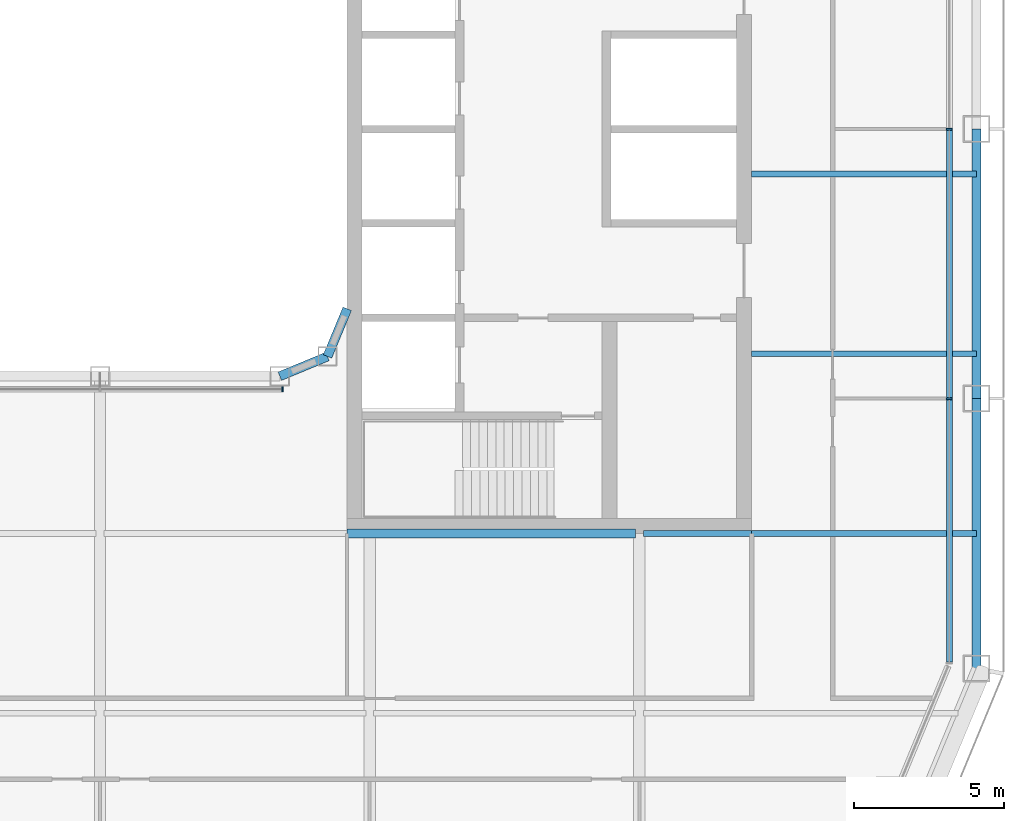
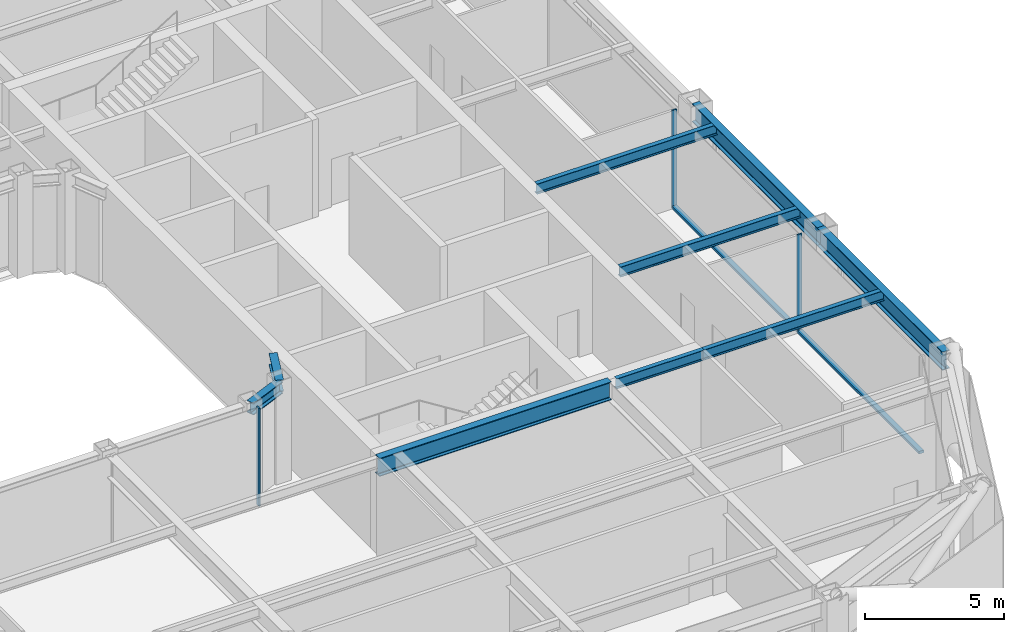
# One storey, part 5 of 21: 9 beams, 5 members, 2 elements without a shape of their own.
"""IFC4 building model written with IfcOpenShell, lengths in metres."""

from ifc_helpers import new_model, si_unit, direction, frame, origin, origin_2d, place, context, subcontext, project, spatial, rectangle, i_section, extrude, material, layer, layer_set, material_profile, profile_set, type_object, element, aggregate, save


model = new_model("IFC4")

# Units and contexts
model_context = context("Model", 3, precision=1e-05, world=origin(), true_north=direction((0.0, 1.0)))
body_context = subcontext(model_context, "Body", "Model", "MODEL_VIEW")
ifc_project = project(units=[si_unit("LENGTHUNIT", "METRE"), si_unit("AREAUNIT", "SQUARE_METRE"), si_unit("VOLUMEUNIT", "CUBIC_METRE"), si_unit("PLANEANGLEUNIT", "RADIAN"), si_unit("MASSUNIT", "GRAM", prefix="KILO")], contexts=[model_context])

# Site, building, storey
site_placement = place(None, origin())
site = spatial("IfcSite", under=ifc_project, at=site_placement, CompositionType="ELEMENT")
building_placement = place(site_placement, origin())
building = spatial("IfcBuilding", under=site, at=building_placement, Name="Siwar Civic Tower", CompositionType="ELEMENT")
storey_placement = place(building_placement, frame((0.0, 0.0, 176.699951171875)))
storey = spatial("IfcBuildingStorey", under=building, at=storey_placement, Name="L38", CompositionType="ELEMENT", Elevation=176.699951171875)

# Curtain wall, members
ifc_material_1 = material(Name="Aluminium and glass", Category="aluminium")
ifc_layer_1 = layer(ifc_material_1, 0.199951171875)
ifc_layer_set_1 = layer_set([ifc_layer_1], Name="Aluminium and glass")
curtain_wall_type_1 = type_object("IfcCurtainWallType", Name="ENV-CW-B", PredefinedType="NOTDEFINED", material=ifc_layer_set_1)
curtain_wall_1_placement = place(storey_placement, origin())
curtain_wall_1 = element("IfcCurtainWall", 1, at=curtain_wall_1_placement, inside=storey, type_object=curtain_wall_type_1, Name="Curtain wall B E", PredefinedType="NOTDEFINED")
ifc_material_2 = material(Name="Aluminium 6063-T6", Category="aluminium")
ifc_material_profile_1 = material_profile(ifc_material_2, rectangle(XDim=0.199951171875, YDim=0.06494140625, at=origin_2d()), Name="AL 200x65")
ifc_profile_set_1 = profile_set([ifc_material_profile_1], Name="Aluminium 6063-T6")
member_type_1 = type_object("IfcMemberType", Name="ENV-MULLION-B", PredefinedType="MULLION", material=ifc_profile_set_1)
member_1_placement = place(storey_placement, frame((28.35009765625, -9.0, 0.0), z_axis=(0.0, 0.0, 1.0), x_axis=(-1.0, 0.0, 0.0)))
member_1 = element("IfcMember", 2, at=member_1_placement, type_object=member_type_1, Name="Mullion B E 2", PredefinedType="MULLION", context=body_context, shape_type="SweptSolid", body=[
    extrude(rectangle(XDim=0.199951171875, YDim=0.06494140625, at=origin_2d()), origin(), (0.0, 0.0, 1.0), 4.300048828125),
])
member_2_placement = place(storey_placement, frame((28.35009765625, 0.0, 0.0), z_axis=(0.0, 0.0, 1.0), x_axis=(-1.0, 0.0, 0.0)))
member_2 = element("IfcMember", 3, at=member_2_placement, type_object=member_type_1, Name="Mullion B E 3", PredefinedType="MULLION", context=body_context, shape_type="SweptSolid", body=[
    extrude(rectangle(XDim=0.199951171875, YDim=0.06494140625, at=origin_2d()), origin(), (0.0, 0.0, 1.0), 4.300048828125),
])

# Curtain wall, member
ifc_material_3 = material(Name="Aluminium and glass", Category="aluminium")
ifc_layer_2 = layer(ifc_material_3, 0.179931640625)
ifc_layer_set_2 = layer_set([ifc_layer_2], Name="Aluminium and glass")
curtain_wall_type_2 = type_object("IfcCurtainWallType", Name="ENV-CW-W", PredefinedType="NOTDEFINED", material=ifc_layer_set_2)
curtain_wall_2_placement = place(storey_placement, origin())
curtain_wall_2 = element("IfcCurtainWall", 4, at=curtain_wall_2_placement, inside=storey, type_object=curtain_wall_type_2, Name="Curtain wall W WS", PredefinedType="NOTDEFINED")
ifc_material_4 = material(Name="Aluminium 6063-T6", Category="aluminium")
ifc_material_profile_2 = material_profile(ifc_material_4, rectangle(XDim=0.179931640625, YDim=0.06005859375, at=origin_2d()), Name="AL 180x60")
ifc_profile_set_2 = profile_set([ifc_material_profile_2], Name="Aluminium 6063-T6")
member_type_2 = type_object("IfcMemberType", Name="ENV-MULLION-W", PredefinedType="MULLION", material=ifc_profile_set_2)
member_3_placement = place(storey_placement, frame((6.08642578125, -8.68505859375, 0.0), z_axis=(0.0, 0.0, 1.0), x_axis=(0.0, 1.0, 0.0)))
member_3 = element("IfcMember", 5, at=member_3_placement, type_object=member_type_2, Name="Mullion W WS 3", PredefinedType="MULLION", context=body_context, shape_type="SweptSolid", body=[
    extrude(rectangle(XDim=0.179931640625, YDim=0.06005859375, at=origin_2d()), origin(), (0.0, 0.0, 1.0), 4.300048828125),
])
aggregate(curtain_wall_2, [member_3])

# Member
ifc_material_5 = material(Name="Aluminium 6063-T6", Category="aluminium")
ifc_material_profile_3 = material_profile(ifc_material_5, rectangle(XDim=0.199951171875, YDim=0.110107421875, at=origin_2d()), Name="AL 200x110")
ifc_profile_set_3 = profile_set([ifc_material_profile_3], Name="Aluminium 6063-T6")
member_type_3 = type_object("IfcMemberType", Name="ENV-TRANSOM-B", PredefinedType="USERDEFINED", material=ifc_profile_set_3)
member_4_placement = place(storey_placement, frame((28.35009765625, -17.78857421875, 0.054931640625), z_axis=(0.0, 1.0, 0.0), x_axis=(-1.0, 0.0, 0.0)))
member_4 = element("IfcMember", 6, at=member_4_placement, type_object=member_type_3, Name="Transom B E 1", ObjectType="TRANSOM", PredefinedType="USERDEFINED", context=body_context, shape_type="SweptSolid", body=[
    extrude(rectangle(XDim=0.199951171875, YDim=0.110107421875, at=origin_2d()), origin(), (0.0, 0.0, 1.0), 8.756103515625),
])

member_5_placement = place(storey_placement, frame((28.35009765625, -8.967529296875, 0.054931640625), z_axis=(0.0, 1.0, 0.0), x_axis=(-1.0, 0.0, 0.0)))
member_5 = element("IfcMember", 7, at=member_5_placement, type_object=member_type_3, Name="Transom B E 2", ObjectType="TRANSOM", PredefinedType="USERDEFINED", context=body_context, shape_type="SweptSolid", body=[
    extrude(rectangle(XDim=0.199951171875, YDim=0.110107421875, at=origin_2d()), origin(), (0.0, 0.0, 1.0), 8.93505859375),
])

aggregate(curtain_wall_1, [member_1, member_2, member_4, member_5])

# Beams
ifc_material_6 = material(Name="Steel S355", Category="steel")
ifc_material_profile_4 = material_profile(ifc_material_6, i_section(OverallWidth=0.18994140625, OverallDepth=0.449951171875, WebThickness=0.009521484375, FlangeThickness=0.0146484375, FilletRadius=0.02099609375, at=origin_2d()), Name="IPE450")
ifc_profile_set_4 = profile_set([ifc_material_profile_4], Name="Steel S355")
beam_type_1 = type_object("IfcBeamType", Name="STR-FB-IPE450", PredefinedType="JOIST", material=ifc_profile_set_4)
beam_1_placement = place(storey_placement, frame((18.1298828125, -13.5, 4.074951171875), z_axis=(1.0, 0.0, 0.0), x_axis=(0.0, 1.0, 0.0)))
element("IfcBeam", 8, at=beam_1_placement, inside=storey, type_object=beam_type_1, Name="L38/bm/F019", PredefinedType="JOIST", context=body_context, shape_type="SweptSolid", body=[
    extrude(i_section(OverallWidth=0.18994140625, OverallDepth=0.449951171875, WebThickness=0.009521484375, FlangeThickness=0.0146484375, FilletRadius=0.02099609375, at=origin_2d()), origin(), (0.0, 0.0, 1.0), 3.6201171875),
])
for number, where, z_axis, x_axis, name in (
    (9, (21.75, -13.5, 4.074951171875), (1.0, 0.0, 0.0), (0.0, 1.0, 0.0), "L38/bm/F020"),
    (10, (21.75, -7.5, 4.074951171875), (1.0, 0.0, 0.0), (0.0, 1.0, 0.0), "L38/bm/F022"),
    (11, (21.75, -1.5, 4.074951171875), (1.0, 0.0, 0.0), (0.0, 1.0, 0.0), "L38/bm/F024"),
):
    element("IfcBeam", number, at=place(storey_placement, frame(where, z_axis=z_axis, x_axis=x_axis)), inside=storey, type_object=beam_type_1, Name=name, PredefinedType="JOIST", context=body_context, shape_type="SweptSolid", body=[
        extrude(i_section(OverallWidth=0.18994140625, OverallDepth=0.449951171875, WebThickness=0.009521484375, FlangeThickness=0.0146484375, FilletRadius=0.02099609375, at=origin_2d()), origin(), (0.0, 0.0, 1.0), 7.5),
    ])
ifc_material_7 = material(Name="Steel S355", Category="steel")
ifc_material_profile_5 = material_profile(ifc_material_7, i_section(OverallWidth=0.300048828125, OverallDepth=0.800048828125, WebThickness=0.017578125, FlangeThickness=0.032958984375, FilletRadius=0.030029296875, at=origin_2d()), Name="HEB800")
ifc_profile_set_5 = profile_set([ifc_material_profile_5], Name="Steel S355")
beam_type_2 = type_object("IfcBeamType", Name="STR-PG-HEB800", PredefinedType="BEAM", material=ifc_profile_set_5)
beam_2_placement = place(storey_placement, frame((8.25, -13.5, 3.900146484375), z_axis=(1.0, 0.0, 0.0), x_axis=(0.0, 1.0, 0.0)))
element("IfcBeam", 12, at=beam_2_placement, inside=storey, type_object=beam_type_2, Name="L38/bm/F018", PredefinedType="BEAM", context=body_context, shape_type="SweptSolid", body=[
    extrude(i_section(OverallWidth=0.300048828125, OverallDepth=0.800048828125, WebThickness=0.017578125, FlangeThickness=0.032958984375, FilletRadius=0.030029296875, at=origin_2d()), origin(), (0.0, 0.0, 1.0), 9.6201171875),
])
ifc_material_8 = material(Name="Steel S355", Category="steel")
ifc_material_profile_6 = material_profile(ifc_material_8, i_section(OverallWidth=0.305908203125, OverallDepth=0.52392578125, WebThickness=0.02099609375, FlangeThickness=0.0400390625, FilletRadius=0.027099609375, at=origin_2d()), Name="HEM500")
ifc_profile_set_6 = profile_set([ifc_material_profile_6], Name="Steel S355")
beam_type_3 = type_object("IfcBeamType", Name="STR-RB-HEM500", PredefinedType="BEAM", material=ifc_profile_set_6)
for number, where, z_axis, x_axis, name in (
    (13, (6.0, -8.25, 4.0380859375), (0.923901072997, 0.382631424892, 0.0), (-0.382631424892, 0.923901072997, 0.0), "L38/bm/RS3"),
    (14, (7.591064453125, -7.591064453125, 4.0380859375), (0.382631424892, 0.923901072997, 0.0), (-0.923901072997, 0.382631424892, 0.0), "L38/bm/RSEE"),
):
    element("IfcBeam", number, at=place(storey_placement, frame(where, z_axis=z_axis, x_axis=x_axis)), inside=storey, type_object=beam_type_3, Name=name, PredefinedType="BEAM", context=body_context, shape_type="SweptSolid", body=[
        extrude(i_section(OverallWidth=0.305908203125, OverallDepth=0.52392578125, WebThickness=0.02099609375, FlangeThickness=0.0400390625, FilletRadius=0.027099609375, at=origin_2d()), origin(), (0.0, 0.0, 1.0), 1.72216796875),
    ])
ifc_material_9 = material(Name="Steel S355", Category="steel")
ifc_material_profile_7 = material_profile(ifc_material_9, i_section(OverallWidth=0.300048828125, OverallDepth=0.800048828125, WebThickness=0.017578125, FlangeThickness=0.032958984375, FilletRadius=0.030029296875, at=origin_2d()), Name="HEB800")
ifc_profile_set_7 = profile_set([ifc_material_profile_7], Name="Steel S355")
beam_type_4 = type_object("IfcBeamType", Name="STR-SB-HEB800", PredefinedType="BEAM", material=ifc_profile_set_7)
for number, where, z_axis, x_axis, name in (
    (15, (29.25, -18.0, 3.900146484375), (0.0, 1.0, 0.0), (-1.0, 0.0, 0.0), "L38/bm/SE-0"),
    (16, (29.25, -9.0, 3.900146484375), (0.0, 1.0, 0.0), (-1.0, 0.0, 0.0), "L38/bm/SE-1"),
):
    element("IfcBeam", number, at=place(storey_placement, frame(where, z_axis=z_axis, x_axis=x_axis)), inside=storey, type_object=beam_type_4, Name=name, PredefinedType="BEAM", context=body_context, shape_type="SweptSolid", body=[
        extrude(i_section(OverallWidth=0.300048828125, OverallDepth=0.800048828125, WebThickness=0.017578125, FlangeThickness=0.032958984375, FilletRadius=0.030029296875, at=origin_2d()), origin(), (0.0, 0.0, 1.0), 9.0),
    ])

save(model, "model.ifc")
